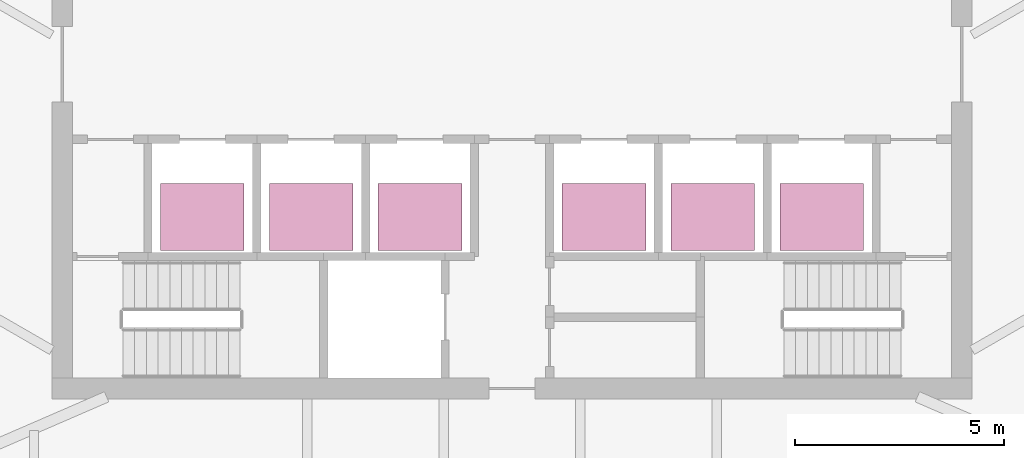
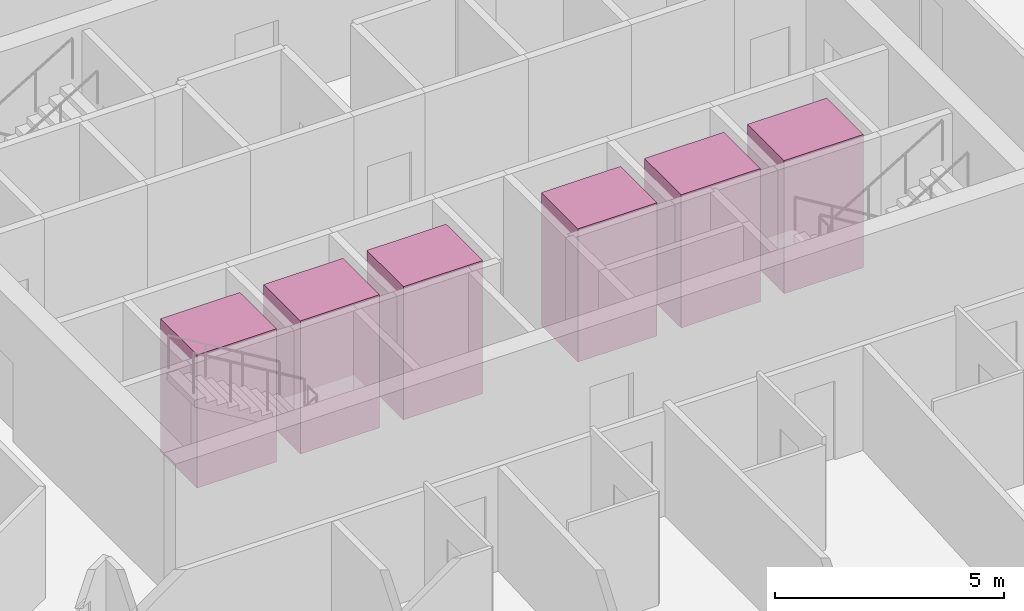
# One storey, part 18 of 18: 6 transport elements.
"""IFC4 building model written with IfcOpenShell, lengths in metres."""

from ifc_helpers import new_model, si_unit, direction, frame, origin, origin_2d, place, context, subcontext, project, spatial, rectangle, extrude, material, type_object, element, save


model = new_model("IFC4")

# Units and contexts
model_context = context("Model", 3, precision=1e-05, world=origin(), true_north=direction((0.0, 1.0)))
body_context = subcontext(model_context, "Body", "Model", "MODEL_VIEW")
ifc_project = project(units=[si_unit("LENGTHUNIT", "METRE"), si_unit("AREAUNIT", "SQUARE_METRE"), si_unit("VOLUMEUNIT", "CUBIC_METRE"), si_unit("PLANEANGLEUNIT", "RADIAN"), si_unit("MASSUNIT", "GRAM", prefix="KILO")], contexts=[model_context])

# Site, building, storey
site_placement = place(None, origin())
site = spatial("IfcSite", under=ifc_project, at=site_placement, CompositionType="ELEMENT")
building_placement = place(site_placement, origin())
building = spatial("IfcBuilding", under=site, at=building_placement, Name="Sierra Prisma Convention Tower", CompositionType="ELEMENT")
storey_placement = place(building_placement, frame((0.0, 0.0, 85.0)))
storey = spatial("IfcBuildingStorey", under=building, at=storey_placement, Name="L17", CompositionType="ELEMENT", Elevation=85.0)

# Transport elements
ifc_material = material(Name="Stainless steel", Category="steel")
transport_element_type = type_object("IfcTransportElementType", Name="Lift car hotel 2000x1600 1600 kg", PredefinedType="ELEVATOR", material=ifc_material)
for number, where, z_axis, x_axis, name in (
    (1, (-7.39990234375, -3.64990234375, 0.0), (0.0, 0.0, 1.0), (1.0, 0.0, 0.0), "Lift HT1"),
    (2, (-4.800048828125, -3.64990234375, 0.0), (0.0, 0.0, 1.0), (1.0, 0.0, 0.0), "Lift HT2"),
    (3, (-2.199951171875, -3.64990234375, 0.0), (0.0, 0.0, 1.0), (1.0, 0.0, 0.0), "Lift HT3"),
    (4, (2.199951171875, -3.64990234375, 0.0), (0.0, 0.0, 1.0), (1.0, 0.0, 0.0), "Lift HT4"),
    (5, (4.800048828125, -3.64990234375, 0.0), (0.0, 0.0, 1.0), (1.0, 0.0, 0.0), "Lift HT5"),
    (6, (7.39990234375, -3.64990234375, 0.0), (0.0, 0.0, 1.0), (1.0, 0.0, 0.0), "Lift HT6"),
):
    element("IfcTransportElement", number, at=place(storey_placement, frame(where, z_axis=z_axis, x_axis=x_axis)), inside=storey, type_object=transport_element_type, Name=name, PredefinedType="ELEVATOR", context=body_context, shape_type="SweptSolid", body=[
        extrude(rectangle(XDim=2.0, YDim=1.60009765625, at=origin_2d()), origin(), (0.0, 0.0, 1.0), 3.550048828125),
    ])

save(model, "model.ifc")
